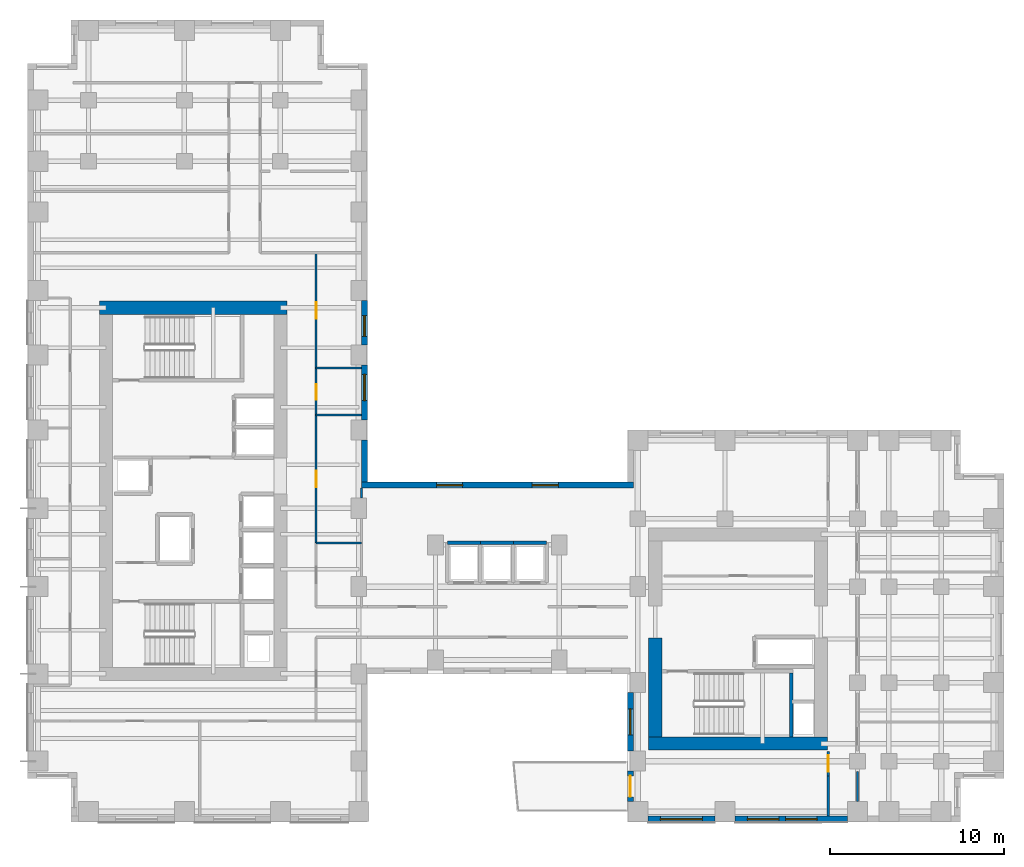
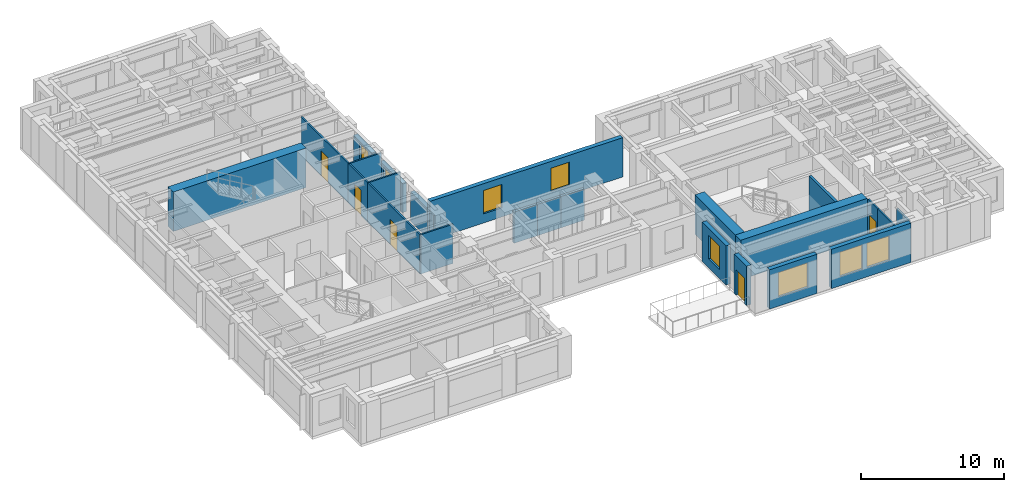
# One storey, part 6 of 12: 25 walls, 8 windows, 5 doors, 13 openings.
"""IFC4 building model written with IfcOpenShell, lengths in metres."""

from ifc_helpers import new_model, si_unit, direction, frame, frame_2d, origin, place, context, subcontext, project, spatial, rectangle, extrude, source, transform, mapped, material, layer, layer_set, type_object, element, fill, save


model = new_model("IFC4")

# Units and contexts
model_context = context("Model", 3, precision=1e-05, world=origin(), true_north=direction((0.0, 1.0)))
body_context = subcontext(model_context, "Body", "Model", "MODEL_VIEW")
ifc_project = project(units=[si_unit("LENGTHUNIT", "METRE"), si_unit("AREAUNIT", "SQUARE_METRE"), si_unit("VOLUMEUNIT", "CUBIC_METRE"), si_unit("PLANEANGLEUNIT", "RADIAN"), si_unit("MASSUNIT", "GRAM", prefix="KILO")], contexts=[model_context])

# Site, building, storey
site_placement = place(None, origin())
site = spatial("IfcSite", under=ifc_project, at=site_placement, CompositionType="ELEMENT")
building_placement = place(site_placement, origin())
building = spatial("IfcBuilding", under=site, at=building_placement, Name="Kharzan Plaza Tower", CompositionType="ELEMENT")
storey_placement = place(building_placement, frame((0.0, 0.0, 91.800048828125)))
storey = spatial("IfcBuildingStorey", under=building, at=storey_placement, Name="L24", CompositionType="ELEMENT", Elevation=91.800048828125)

# Wall, opening, window
ifc_material_1 = material(Name="Concrete C40/50", Category="concrete")
ifc_layer_1 = layer(ifc_material_1, 0.35009765625)
ifc_layer_set_1 = layer_set([ifc_layer_1], Name="Concrete C40/50")
wall_type_1 = type_object("IfcWallType", Name="WL-EXT-MAS-Z2", PredefinedType="SOLIDWALL", material=ifc_layer_set_1)
wall_1_placement = place(storey_placement, frame((19.324951171875, 23.072998046875, 0.0), z_axis=(0.0, 0.0, 1.0), x_axis=(0.0, 1.0, 0.0)))
wall_1 = element("IfcWall", 1, at=wall_1_placement, inside=storey, type_object=wall_type_1, Name="L24 Masonry-Frame Exterior Wall 02", PredefinedType="SOLIDWALL", context=body_context, shape_type="SweptSolid", body=[
    extrude(rectangle(XDim=3.154052734375, YDim=0.35009765625, at=frame_2d((1.5771484375, 0.0))), origin(), (0.0, 0.0, 1.0), 2.51904296875),
])
opening_1_placement = place(wall_1_placement, frame((1.10546875, 0.0, 0.780029296875)))
opening_1 = element("IfcOpeningElement", 2, at=opening_1_placement, cuts=wall_1, Name="Opening W5", PredefinedType="OPENING", context=body_context, shape_type="SweptSolid", body=[
    extrude(rectangle(XDim=1.5, YDim=1.55908203125, at=frame_2d((0.75, 0.779541015625))), frame((0.0, 0.18505859375, 0.0), z_axis=(0.0, -1.0, 0.0), x_axis=(1.0, 0.0, 0.0)), (0.0, 0.0, 1.0), 0.3701171875),
])
ifc_material_2 = material(Name="Low-E Double Glazing", Category="glass")
window_type_1 = type_object("IfcWindowType", Name="WN-SLT-1500x2000", PartitioningType="SINGLE_PANEL", PredefinedType="WINDOW", material=ifc_material_2)
shared_shape_1 = source(origin(), body_context, "Body", "SweptSolid", [
    extrude(rectangle(XDim=1.5, YDim=1.55908203125, at=frame_2d((0.75, 0.779541015625))), frame((0.0, 0.030029296875, 0.0), z_axis=(0.0, -1.0, 0.0), x_axis=(1.0, 0.0, 0.0)), (0.0, 0.0, 1.0), 0.06005859375),
])
window_1_placement = place(opening_1_placement, origin())
window_1 = element("IfcWindow", 3, at=window_1_placement, inside=storey, type_object=window_type_1, Name="L24 Recessed Solar-Control Window 02-1", OverallHeight=1.55908203125, OverallWidth=1.5, PartitioningType="SINGLE_PANEL", PredefinedType="WINDOW", context=body_context, shape_type="MappedRepresentation", body=[
    mapped(shared_shape_1, transform((0.0, 0.0, 0.0), x_axis=(1.0, 0.0, 0.0), y_axis=(0.0, 1.0, 0.0), z_axis=(0.0, 0.0, 1.0))),
])
fill(opening_1, window_1)

wall_2_placement = place(storey_placement, frame((19.324951171875, 27.373046875, 0.0), z_axis=(0.0, 0.0, 1.0), x_axis=(0.0, 1.0, 0.0)))
wall_2 = element("IfcWall", 4, at=wall_2_placement, inside=storey, type_object=wall_type_1, Name="L24 Masonry-Frame Exterior Wall 03", PredefinedType="SOLIDWALL", context=body_context, shape_type="SweptSolid", body=[
    extrude(rectangle(XDim=2.553955078125, YDim=0.35009765625, at=frame_2d((1.27685546875, 0.0))), origin(), (0.0, 0.0, 1.0), 2.51904296875),
])
opening_2_placement = place(wall_2_placement, frame((0.47998046875, 0.0, 0.780029296875)))
opening_2 = element("IfcOpeningElement", 5, at=opening_2_placement, cuts=wall_2, Name="Opening W3", PredefinedType="OPENING", context=body_context, shape_type="SweptSolid", body=[
    extrude(rectangle(XDim=1.199951171875, YDim=1.55908203125, at=frame_2d((0.60009765625, 0.779541015625))), frame((0.0, 0.18505859375, 0.0), z_axis=(0.0, -1.0, 0.0), x_axis=(1.0, 0.0, 0.0)), (0.0, 0.0, 1.0), 0.3701171875),
])
window_type_2 = type_object("IfcWindowType", Name="WN-REC-1200x2100", PartitioningType="SINGLE_PANEL", PredefinedType="WINDOW", material=ifc_material_2)
shared_shape_2 = source(origin(), body_context, "Body", "SweptSolid", [
    extrude(rectangle(XDim=1.199951171875, YDim=1.55908203125, at=frame_2d((0.60009765625, 0.779541015625))), frame((0.0, 0.030029296875, 0.0), z_axis=(0.0, -1.0, 0.0), x_axis=(1.0, 0.0, 0.0)), (0.0, 0.0, 1.0), 0.06005859375),
])
window_2_placement = place(opening_2_placement, origin())
window_2 = element("IfcWindow", 6, at=window_2_placement, inside=storey, type_object=window_type_2, Name="L24 Recessed Solar-Control Window 03-1", OverallHeight=1.55908203125, OverallWidth=1.199951171875, PartitioningType="SINGLE_PANEL", PredefinedType="WINDOW", context=body_context, shape_type="MappedRepresentation", body=[
    mapped(shared_shape_2, transform((0.0, 0.0, 0.0), x_axis=(1.0, 0.0, 0.0), y_axis=(0.0, 1.0, 0.0), z_axis=(0.0, 0.0, 1.0))),
])
fill(opening_2, window_2)

wall_3_placement = place(storey_placement, frame((34.574951171875, 7.427001953125, 0.0), z_axis=(0.0, 0.0, 1.0), x_axis=(0.0, -1.0, 0.0)))
wall_3 = element("IfcWall", 7, at=wall_3_placement, inside=storey, type_object=wall_type_1, Name="L24 Masonry-Frame Exterior Wall 37", PredefinedType="SOLIDWALL", context=body_context, shape_type="SweptSolid", body=[
    extrude(rectangle(XDim=3.35400390625, YDim=0.35009765625, at=frame_2d((1.677001953125, 0.0))), origin(), (0.0, 0.0, 1.0), 3.364990234375),
])
opening_3_placement = place(wall_3_placement, frame((0.927001953125, 0.0, 0.780029296875)))
opening_3 = element("IfcOpeningElement", 8, at=opening_3_placement, cuts=wall_3, Name="Opening W5", PredefinedType="OPENING", context=body_context, shape_type="SweptSolid", body=[
    extrude(rectangle(XDim=1.5, YDim=2.0, at=frame_2d((0.75, 1.0))), frame((0.0, 0.18505859375, 0.0), z_axis=(0.0, -1.0, 0.0), x_axis=(1.0, 0.0, 0.0)), (0.0, 0.0, 1.0), 0.3701171875),
])
shared_shape_3 = source(origin(), body_context, "Body", "SweptSolid", [
    extrude(rectangle(XDim=1.5, YDim=2.0, at=frame_2d((0.75, 1.0))), frame((0.0, 0.030029296875, 0.0), z_axis=(0.0, -1.0, 0.0), x_axis=(1.0, 0.0, 0.0)), (0.0, 0.0, 1.0), 0.06005859375),
])
window_3_placement = place(opening_3_placement, origin())
window_3 = element("IfcWindow", 9, at=window_3_placement, inside=storey, type_object=window_type_1, Name="L24 Recessed Solar-Control Window 37-1", OverallHeight=2.0, OverallWidth=1.5, PartitioningType="SINGLE_PANEL", PredefinedType="WINDOW", context=body_context, shape_type="MappedRepresentation", body=[
    mapped(shared_shape_3, transform((0.0, 0.0, 0.0), x_axis=(1.0, 0.0, 0.0), y_axis=(0.0, 1.0, 0.0), z_axis=(0.0, 0.0, 1.0))),
])
fill(opening_3, window_3)

# Wall, opening, door
wall_4_placement = place(storey_placement, frame((34.574951171875, 2.927001953125, 0.0), z_axis=(0.0, 0.0, 1.0), x_axis=(0.0, -1.0, 0.0)))
wall_4 = element("IfcWall", 10, at=wall_4_placement, inside=storey, type_object=wall_type_1, Name="L24 Masonry-Frame Exterior Wall 38", PredefinedType="SOLIDWALL", context=body_context, shape_type="SweptSolid", body=[
    extrude(rectangle(XDim=1.75390625, YDim=0.35009765625, at=frame_2d((0.876953125, 0.0))), origin(), (0.0, 0.0, 1.0), 3.364990234375),
])
opening_4_placement = place(wall_4_placement, frame((0.277099609375, 0.0, 0.0)))
opening_4 = element("IfcOpeningElement", 11, at=opening_4_placement, cuts=wall_4, Name="Opening ED3", PredefinedType="OPENING", context=body_context, shape_type="SweptSolid", body=[
    extrude(rectangle(XDim=1.199951171875, YDim=2.14990234375, at=frame_2d((0.60009765625, 1.074951171875))), frame((0.0, 0.18505859375, 0.0), z_axis=(0.0, -1.0, 0.0), x_axis=(1.0, 0.0, 0.0)), (0.0, 0.0, 1.0), 0.3701171875),
])
ifc_material_3 = material(Name="Thermally Broken Anodized Bronze Aluminium", Category="aluminium")
door_type_1 = type_object("IfcDoorType", Name="DR-EXT-TRAY-1200", OperationType="SINGLE_SWING_LEFT", PredefinedType="DOOR", material=ifc_material_3)
shared_shape_4 = source(origin(), body_context, "Body", "SweptSolid", [
    extrude(rectangle(XDim=1.199951171875, YDim=2.14990234375, at=frame_2d((0.60009765625, 1.074951171875))), frame((0.0, 0.02490234375, 0.0), z_axis=(0.0, -1.0, 0.0), x_axis=(1.0, 0.0, 0.0)), (0.0, 0.0, 1.0), 0.050048828125),
])
door_1_placement = place(opening_4_placement, frame((1.199951171875, 0.0, 0.0), z_axis=(0.0, 0.0, 1.0), x_axis=(-1.0, 0.0, 0.0)))
door_1 = element("IfcDoor", 12, at=door_1_placement, inside=storey, type_object=door_type_1, Name="L24 Cantilevered Sky-Terrace Tray Access Door", OperationType="SINGLE_SWING_LEFT", OverallHeight=2.14990234375, OverallWidth=1.199951171875, PredefinedType="DOOR", context=body_context, shape_type="MappedRepresentation", body=[
    mapped(shared_shape_4, transform((0.0, 0.0, 0.0), x_axis=(1.0, 0.0, 0.0), y_axis=(0.0, 1.0, 0.0), z_axis=(0.0, 0.0, 1.0))),
])
fill(opening_4, door_1)

# Wall, opening, window
wall_5_placement = place(storey_placement, frame((35.572998046875, 0.175048828125, 0.0), z_axis=(0.0, 0.0, 1.0), x_axis=(1.0, 0.0, 0.0)))
wall_5 = element("IfcWall", 13, at=wall_5_placement, inside=storey, type_object=wall_type_1, Name="L24 Masonry-Frame Exterior Wall 39", PredefinedType="SOLIDWALL", context=body_context, shape_type="SweptSolid", body=[
    extrude(rectangle(XDim=3.85400390625, YDim=0.35009765625, at=frame_2d((1.927001953125, 0.0))), origin(), (0.0, 0.0, 1.0), 3.364990234375),
])
opening_5_placement = place(wall_5_placement, frame((0.72705078125, 0.0, 0.780029296875)))
opening_5 = element("IfcOpeningElement", 14, at=opening_5_placement, cuts=wall_5, Name="Opening W2", PredefinedType="OPENING", context=body_context, shape_type="SweptSolid", body=[
    extrude(rectangle(XDim=2.39990234375, YDim=2.10009765625, at=frame_2d((1.199951171875, 1.050048828125))), frame((0.0, 0.18505859375, 0.0), z_axis=(0.0, -1.0, 0.0), x_axis=(1.0, 0.0, 0.0)), (0.0, 0.0, 1.0), 0.3701171875),
])
window_type_3 = type_object("IfcWindowType", Name="WN-REC-2400x2100", PartitioningType="SINGLE_PANEL", PredefinedType="WINDOW", material=ifc_material_2)
shared_shape_5 = source(origin(), body_context, "Body", "SweptSolid", [
    extrude(rectangle(XDim=2.39990234375, YDim=2.10009765625, at=frame_2d((1.199951171875, 1.050048828125))), frame((0.0, 0.030029296875, 0.0), z_axis=(0.0, -1.0, 0.0), x_axis=(1.0, 0.0, 0.0)), (0.0, 0.0, 1.0), 0.06005859375),
])
window_4_placement = place(opening_5_placement, origin())
window_4 = element("IfcWindow", 15, at=window_4_placement, inside=storey, type_object=window_type_3, Name="L24 Wide Recessed Solar-Control Window 39-1", OverallHeight=2.10009765625, OverallWidth=2.39990234375, PartitioningType="SINGLE_PANEL", PredefinedType="WINDOW", context=body_context, shape_type="MappedRepresentation", body=[
    mapped(shared_shape_5, transform((0.0, 0.0, 0.0), x_axis=(1.0, 0.0, 0.0), y_axis=(0.0, 1.0, 0.0), z_axis=(0.0, 0.0, 1.0))),
])
fill(opening_5, window_4)

# Wall, openings, windows
wall_6_placement = place(storey_placement, frame((40.572998046875, 0.175048828125, 0.0), z_axis=(0.0, 0.0, 1.0), x_axis=(1.0, 0.0, 0.0)))
wall_6 = element("IfcWall", 16, at=wall_6_placement, inside=storey, type_object=wall_type_1, Name="L24 Masonry-Frame Exterior Wall 40", PredefinedType="SOLIDWALL", context=body_context, shape_type="SweptSolid", body=[
    extrude(rectangle(XDim=6.4541015625, YDim=0.35009765625, at=frame_2d((3.22705078125, 0.0))), origin(), (0.0, 0.0, 1.0), 3.364990234375),
])
opening_6_placement = place(wall_6_placement, frame((0.71240234375, 0.0, 0.780029296875)))
opening_6 = element("IfcOpeningElement", 17, at=opening_6_placement, cuts=wall_6, Name="Opening W1", PredefinedType="OPENING", context=body_context, shape_type="SweptSolid", body=[
    extrude(rectangle(XDim=1.800048828125, YDim=2.10009765625, at=frame_2d((0.89990234375, 1.050048828125))), frame((0.0, 0.18505859375, 0.0), z_axis=(0.0, -1.0, 0.0), x_axis=(1.0, 0.0, 0.0)), (0.0, 0.0, 1.0), 0.3701171875),
])
opening_7_placement = place(wall_6_placement, frame((2.90478515625, 0.0, 0.780029296875)))
opening_7 = element("IfcOpeningElement", 18, at=opening_7_placement, cuts=wall_6, Name="Opening W1", PredefinedType="OPENING", context=body_context, shape_type="SweptSolid", body=[
    extrude(rectangle(XDim=1.800048828125, YDim=2.10009765625, at=frame_2d((0.89990234375, 1.050048828125))), frame((0.0, 0.18505859375, 0.0), z_axis=(0.0, -1.0, 0.0), x_axis=(1.0, 0.0, 0.0)), (0.0, 0.0, 1.0), 0.3701171875),
])
window_type_4 = type_object("IfcWindowType", Name="WN-REC-1800x2100", PartitioningType="SINGLE_PANEL", PredefinedType="WINDOW", material=ifc_material_2)
shared_shape_6 = source(origin(), body_context, "Body", "SweptSolid", [
    extrude(rectangle(XDim=1.800048828125, YDim=2.10009765625, at=frame_2d((0.89990234375, 1.050048828125))), frame((0.0, 0.030029296875, 0.0), z_axis=(0.0, -1.0, 0.0), x_axis=(1.0, 0.0, 0.0)), (0.0, 0.0, 1.0), 0.06005859375),
])
window_5_placement = place(opening_6_placement, origin())
window_5 = element("IfcWindow", 19, at=window_5_placement, inside=storey, type_object=window_type_4, Name="L24 Recessed Solar-Control Window 40-1", OverallHeight=2.10009765625, OverallWidth=1.800048828125, PartitioningType="SINGLE_PANEL", PredefinedType="WINDOW", context=body_context, shape_type="MappedRepresentation", body=[
    mapped(shared_shape_6, transform((0.0, 0.0, 0.0), x_axis=(1.0, 0.0, 0.0), y_axis=(0.0, 1.0, 0.0), z_axis=(0.0, 0.0, 1.0))),
])
fill(opening_6, window_5)
window_6_placement = place(opening_7_placement, origin())
window_6 = element("IfcWindow", 20, at=window_6_placement, inside=storey, type_object=window_type_4, Name="L24 Recessed Solar-Control Window 40-2", OverallHeight=2.10009765625, OverallWidth=1.800048828125, PartitioningType="SINGLE_PANEL", PredefinedType="WINDOW", context=body_context, shape_type="MappedRepresentation", body=[
    mapped(shared_shape_6, transform((0.0, 0.0, 0.0), x_axis=(1.0, 0.0, 0.0), y_axis=(0.0, 1.0, 0.0), z_axis=(0.0, 0.0, 1.0))),
])
fill(opening_7, window_6)

wall_7_placement = place(storey_placement, frame((34.75, 19.324951171875, 0.0), z_axis=(0.0, 0.0, 1.0), x_axis=(-1.0, 0.0, 0.0)))
wall_7 = element("IfcWall", 21, at=wall_7_placement, inside=storey, type_object=wall_type_1, Name="L24 Masonry-Frame Exterior Wall 58", PredefinedType="SOLIDWALL", context=body_context, shape_type="SweptSolid", body=[
    extrude(rectangle(XDim=15.60009765625, YDim=0.35009765625, at=frame_2d((7.800048828125, 0.0))), origin(), (0.0, 0.0, 1.0), 3.364990234375),
])
opening_8_placement = place(wall_7_placement, frame((4.306640625, 0.0, 0.780029296875)))
opening_8 = element("IfcOpeningElement", 22, at=opening_8_placement, cuts=wall_7, Name="Opening W5", PredefinedType="OPENING", context=body_context, shape_type="SweptSolid", body=[
    extrude(rectangle(XDim=1.5, YDim=2.0, at=frame_2d((0.75, 1.0))), frame((0.0, 0.18505859375, 0.0), z_axis=(0.0, -1.0, 0.0), x_axis=(1.0, 0.0, 0.0)), (0.0, 0.0, 1.0), 0.3701171875),
])
opening_9_placement = place(wall_7_placement, frame((9.793212890625, 0.0, 0.780029296875)))
opening_9 = element("IfcOpeningElement", 23, at=opening_9_placement, cuts=wall_7, Name="Opening W5", PredefinedType="OPENING", context=body_context, shape_type="SweptSolid", body=[
    extrude(rectangle(XDim=1.5, YDim=2.0, at=frame_2d((0.75, 1.0))), frame((0.0, 0.18505859375, 0.0), z_axis=(0.0, -1.0, 0.0), x_axis=(1.0, 0.0, 0.0)), (0.0, 0.0, 1.0), 0.3701171875),
])
window_7_placement = place(opening_8_placement, origin())
window_7 = element("IfcWindow", 24, at=window_7_placement, inside=storey, type_object=window_type_1, Name="L24 Recessed Solar-Control Window 58-1", OverallHeight=2.0, OverallWidth=1.5, PartitioningType="SINGLE_PANEL", PredefinedType="WINDOW", context=body_context, shape_type="MappedRepresentation", body=[
    mapped(shared_shape_3, transform((0.0, 0.0, 0.0), x_axis=(1.0, 0.0, 0.0), y_axis=(0.0, 1.0, 0.0), z_axis=(0.0, 0.0, 1.0))),
])
fill(opening_8, window_7)
window_8_placement = place(opening_9_placement, origin())
window_8 = element("IfcWindow", 25, at=window_8_placement, inside=storey, type_object=window_type_1, Name="L24 Recessed Solar-Control Window 58-2", OverallHeight=2.0, OverallWidth=1.5, PartitioningType="SINGLE_PANEL", PredefinedType="WINDOW", context=body_context, shape_type="MappedRepresentation", body=[
    mapped(shared_shape_3, transform((0.0, 0.0, 0.0), x_axis=(1.0, 0.0, 0.0), y_axis=(0.0, 1.0, 0.0), z_axis=(0.0, 0.0, 1.0))),
])
fill(opening_9, window_8)

# Wall, opening, door
ifc_material_4 = material(Name="Fire-Rated Gypsum Board Partition", Category="gypsum")
ifc_layer_2 = layer(ifc_material_4, 0.125)
ifc_layer_set_2 = layer_set([ifc_layer_2], Name="Fire-Rated Gypsum Board Partition")
wall_type_2 = type_object("IfcWallType", Name="WL-INT-PART-125", PredefinedType="PARTITIONING", material=ifc_layer_set_2)
wall_8_placement = place(storey_placement, frame((16.550048828125, 16.0, 0.0), z_axis=(0.0, 0.0, 1.0), x_axis=(0.0, 1.0, 0.0)))
wall_8 = element("IfcWall", 26, at=wall_8_placement, inside=storey, type_object=wall_type_2, Name="L24 Interior Partition SH-AEWN2", PredefinedType="PARTITIONING", context=body_context, shape_type="SweptSolid", body=[
    extrude(rectangle(XDim=7.35009765625, YDim=0.125, at=frame_2d((3.675048828125, 0.0))), origin(), (0.0, 0.0, 1.0), 3.364990234375),
])
opening_10_placement = place(wall_8_placement, frame((3.199951171875, 0.0, 0.0)))
opening_10 = element("IfcOpeningElement", 27, at=opening_10_placement, cuts=wall_8, Name="Opening OD1", PredefinedType="OPENING", context=body_context, shape_type="SweptSolid", body=[
    extrude(rectangle(XDim=0.949951171875, YDim=2.14990234375, at=frame_2d((0.47509765625, 1.074951171875))), frame((0.0, 0.072509765625, 0.0), z_axis=(0.0, -1.0, 0.0), x_axis=(1.0, 0.0, 0.0)), (0.0, 0.0, 1.0), 0.14501953125),
])
ifc_material_5 = material(Name="Acoustic Solid-Core Stained Oak", Category="timber")
door_type_2 = type_object("IfcDoorType", Name="DR-OFF-SINGLE", OperationType="NOTDEFINED", PredefinedType="DOOR", material=ifc_material_5)
shared_shape_7 = source(origin(), body_context, "Body", "SweptSolid", [
    extrude(rectangle(XDim=0.949951171875, YDim=2.14990234375, at=frame_2d((0.47509765625, 1.074951171875))), frame((0.0, 0.02490234375, 0.0), z_axis=(0.0, -1.0, 0.0), x_axis=(1.0, 0.0, 0.0)), (0.0, 0.0, 1.0), 0.050048828125),
])
door_2_placement = place(opening_10_placement, origin())
door_2 = element("IfcDoor", 28, at=door_2_placement, inside=storey, type_object=door_type_2, Name="L24 Slot Studio Door", OperationType="SINGLE_SWING_RIGHT", OverallHeight=2.14990234375, OverallWidth=0.949951171875, PredefinedType="DOOR", context=body_context, shape_type="MappedRepresentation", body=[
    mapped(shared_shape_7, transform((0.0, 0.0, 0.0), x_axis=(1.0, 0.0, 0.0), y_axis=(0.0, 1.0, 0.0), z_axis=(0.0, 0.0, 1.0))),
])
fill(opening_10, door_2)

wall_9_placement = place(storey_placement, frame((16.550048828125, 26.050048828125, 0.0), z_axis=(0.0, 0.0, 1.0), x_axis=(0.0, 1.0, 0.0)))
wall_9 = element("IfcWall", 29, at=wall_9_placement, inside=storey, type_object=wall_type_2, Name="L24 Interior Partition SH-AEWN3", PredefinedType="PARTITIONING", context=body_context, shape_type="SweptSolid", body=[
    extrude(rectangle(XDim=6.599853515625, YDim=0.125, at=frame_2d((3.2998046875, 0.0))), origin(), (0.0, 0.0, 1.0), 3.364990234375),
])
opening_11_placement = place(wall_9_placement, frame((2.824951171875, 0.0, 0.0)))
opening_11 = element("IfcOpeningElement", 30, at=opening_11_placement, cuts=wall_9, Name="Opening OD1", PredefinedType="OPENING", context=body_context, shape_type="SweptSolid", body=[
    extrude(rectangle(XDim=0.949951171875, YDim=2.14990234375, at=frame_2d((0.47509765625, 1.074951171875))), frame((0.0, 0.072509765625, 0.0), z_axis=(0.0, -1.0, 0.0), x_axis=(1.0, 0.0, 0.0)), (0.0, 0.0, 1.0), 0.14501953125),
])
door_3_placement = place(opening_11_placement, origin())
door_3 = element("IfcDoor", 31, at=door_3_placement, inside=storey, type_object=door_type_2, Name="L24 Staff Tea Point Door", OperationType="SINGLE_SWING_RIGHT", OverallHeight=2.14990234375, OverallWidth=0.949951171875, PredefinedType="DOOR", context=body_context, shape_type="MappedRepresentation", body=[
    mapped(shared_shape_7, transform((0.0, 0.0, 0.0), x_axis=(1.0, 0.0, 0.0), y_axis=(0.0, 1.0, 0.0), z_axis=(0.0, 0.0, 1.0))),
])
fill(opening_11, door_3)

wall_10_placement = place(storey_placement, frame((16.550048828125, 23.35009765625, 0.0), z_axis=(0.0, 0.0, 1.0), x_axis=(0.0, 1.0, 0.0)))
wall_10 = element("IfcWall", 32, at=wall_10_placement, inside=storey, type_object=wall_type_2, Name="L24 Interior Partition SH-AEWW", PredefinedType="PARTITIONING", context=body_context, shape_type="SweptSolid", body=[
    extrude(rectangle(XDim=2.699951171875, YDim=0.125, at=frame_2d((1.35009765625, 0.0))), origin(), (0.0, 0.0, 1.0), 3.364990234375),
])
opening_12_placement = place(wall_10_placement, frame((0.875, 0.0, 0.0)))
opening_12 = element("IfcOpeningElement", 33, at=opening_12_placement, cuts=wall_10, Name="Opening WD1", PredefinedType="OPENING", context=body_context, shape_type="SweptSolid", body=[
    extrude(rectangle(XDim=0.89990234375, YDim=2.14990234375, at=frame_2d((0.449951171875, 1.074951171875))), frame((0.0, 0.072509765625, 0.0), z_axis=(0.0, -1.0, 0.0), x_axis=(1.0, 0.0, 0.0)), (0.0, 0.0, 1.0), 0.14501953125),
])
ifc_material_6 = material(Name="Moisture-Resistant Fire-Rated Laminate", Category="timber")
door_type_3 = type_object("IfcDoorType", Name="DR-WC-900", OperationType="NOTDEFINED", PredefinedType="DOOR", material=ifc_material_6)
shared_shape_8 = source(origin(), body_context, "Body", "SweptSolid", [
    extrude(rectangle(XDim=0.89990234375, YDim=2.14990234375, at=frame_2d((0.449951171875, 1.074951171875))), frame((0.0, 0.02490234375, 0.0), z_axis=(0.0, -1.0, 0.0), x_axis=(1.0, 0.0, 0.0)), (0.0, 0.0, 1.0), 0.050048828125),
])
door_4_placement = place(opening_12_placement, origin())
door_4 = element("IfcDoor", 34, at=door_4_placement, inside=storey, type_object=door_type_3, Name="L24 Wing A Washroom Door", OperationType="SINGLE_SWING_LEFT", OverallHeight=2.14990234375, OverallWidth=0.89990234375, PredefinedType="DOOR", context=body_context, shape_type="MappedRepresentation", body=[
    mapped(shared_shape_8, transform((0.0, 0.0, 0.0), x_axis=(1.0, 0.0, 0.0), y_axis=(0.0, 1.0, 0.0), z_axis=(0.0, 0.0, 1.0))),
])
fill(opening_12, door_4)

wall_11_placement = place(storey_placement, frame((45.919921875, 2.64990234375, 0.0), z_axis=(0.0, 0.0, 1.0), x_axis=(0.0, 1.0, 0.0)))
wall_11 = element("IfcWall", 35, at=wall_11_placement, inside=storey, type_object=wall_type_2, Name="L24 Interior Partition SH-RBSE", PredefinedType="PARTITIONING", context=body_context, shape_type="SweptSolid", body=[
    extrude(rectangle(XDim=1.400146484375, YDim=0.125, at=frame_2d((0.7001953125, 0.0))), origin(), (0.0, 0.0, 1.0), 3.364990234375),
])
opening_13_placement = place(wall_11_placement, frame((0.22509765625, 0.0, 0.0)))
opening_13 = element("IfcOpeningElement", 36, at=opening_13_placement, cuts=wall_11, Name="Opening OD1", PredefinedType="OPENING", context=body_context, shape_type="SweptSolid", body=[
    extrude(rectangle(XDim=0.949951171875, YDim=2.14990234375, at=frame_2d((0.47509765625, 1.074951171875))), frame((0.0, 0.072509765625, 0.0), z_axis=(0.0, -1.0, 0.0), x_axis=(1.0, 0.0, 0.0)), (0.0, 0.0, 1.0), 0.14501953125),
])
door_5_placement = place(opening_13_placement, origin())
door_5 = element("IfcDoor", 37, at=door_5_placement, inside=storey, type_object=door_type_2, Name="L24 South-East Corner Office Door", OperationType="SINGLE_SWING_RIGHT", OverallHeight=2.14990234375, OverallWidth=0.949951171875, PredefinedType="DOOR", context=body_context, shape_type="MappedRepresentation", body=[
    mapped(shared_shape_7, transform((0.0, 0.0, 0.0), x_axis=(1.0, 0.0, 0.0), y_axis=(0.0, 1.0, 0.0), z_axis=(0.0, 0.0, 1.0))),
])
fill(opening_13, door_5)

# Walls
shared_shape_9 = source(origin(), body_context, "Body", "SweptSolid", [
    extrude(rectangle(XDim=2.597900390625, YDim=0.125, at=frame_2d((1.298828125, 0.0))), origin(), (0.0, 0.0, 1.0), 3.364990234375),
])
for number, where, z_axis, x_axis, name in (
    (38, (16.550048828125, 23.35009765625, 0.0), (0.0, 0.0, 1.0), (1.0, 0.0, 0.0), "L24 Interior Partition SH-AEH-233"),
    (39, (16.550048828125, 26.050048828125, 0.0), (0.0, 0.0, 1.0), (1.0, 0.0, 0.0), "L24 Interior Partition SH-AEH-260"),
):
    element("IfcWall", number, at=place(storey_placement, frame(where, z_axis=z_axis, x_axis=x_axis)), inside=storey, type_object=wall_type_2, Name=name, PredefinedType="PARTITIONING", context=body_context, shape_type="MappedRepresentation", body=[
        mapped(shared_shape_9, transform((0.0, 0.0, 0.0), x_axis=(1.0, 0.0, 0.0), y_axis=(0.0, 1.0, 0.0), z_axis=(0.0, 0.0, 1.0))),
    ])
shared_shape_10 = source(origin(), body_context, "Body", "SweptSolid", [
    extrude(rectangle(XDim=2.2978515625, YDim=0.125, at=frame_2d((1.14892578125, 0.0))), origin(), (0.0, 0.0, 1.0), 3.364990234375),
])
wall_12_placement = place(storey_placement, frame((45.919921875, 0.35205078125, 0.0), z_axis=(0.0, 0.0, 1.0), x_axis=(0.0, 1.0, 0.0)))
element("IfcWall", 40, at=wall_12_placement, inside=storey, type_object=wall_type_2, Name="L24 Interior Partition SH-RBSE0", PredefinedType="PARTITIONING", context=body_context, shape_type="MappedRepresentation", body=[
    mapped(shared_shape_10, transform((0.0, 0.0, 0.0), x_axis=(1.0, 0.0, 0.0), y_axis=(0.0, 1.0, 0.0), z_axis=(0.0, 0.0, 1.0))),
])
shared_shape_11 = source(origin(), body_context, "Body", "SweptSolid", [
    extrude(rectangle(XDim=2.599853515625, YDim=0.125, at=frame_2d((1.2998046875, 0.0))), origin(), (0.0, 0.0, 1.0), 3.364990234375),
])
wall_13_placement = place(storey_placement, frame((16.550048828125, 16.0, 0.0), z_axis=(0.0, 0.0, 1.0), x_axis=(1.0, 0.0, 0.0)))
element("IfcWall", 41, at=wall_13_placement, inside=storey, type_object=wall_type_2, Name="L24 Interior Partition SH-AEH-160", PredefinedType="PARTITIONING", context=body_context, shape_type="MappedRepresentation", body=[
    mapped(shared_shape_11, transform((0.0, 0.0, 0.0), x_axis=(1.0, 0.0, 0.0), y_axis=(0.0, 1.0, 0.0), z_axis=(0.0, 0.0, 1.0))),
])
shared_shape_12 = source(origin(), body_context, "Body", "SweptSolid", [
    extrude(rectangle(XDim=1.719970703125, YDim=0.125, at=frame_2d((0.85986328125, 0.0))), origin(), (0.0, 0.0, 1.0), 2.677001953125),
])
wall_14_placement = place(storey_placement, frame((47.60009765625, 1.18994140625, 0.0), z_axis=(0.0, 0.0, 1.0), x_axis=(0.0, 1.0, 0.0)))
element("IfcWall", 42, at=wall_14_placement, inside=storey, type_object=wall_type_2, Name="L24 Interior Partition SH-B3W0S", PredefinedType="PARTITIONING", context=body_context, shape_type="MappedRepresentation", body=[
    mapped(shared_shape_12, transform((0.0, 0.0, 0.0), x_axis=(1.0, 0.0, 0.0), y_axis=(0.0, 1.0, 0.0), z_axis=(0.0, 0.0, 1.0))),
])
ifc_layer_3 = layer(ifc_material_1, 0.199951171875)
ifc_layer_set_3 = layer_set([ifc_layer_3], Name="Concrete C40/50")
wall_type_3 = type_object("IfcWallType", Name="WL-INT-SHAFT-200", PredefinedType="PARTITIONING", material=ifc_layer_set_3)
shared_shape_13 = source(origin(), body_context, "Body", "SweptSolid", [
    extrude(rectangle(XDim=1.889892578125, YDim=0.199951171875, at=frame_2d((0.94482421875, 0.0))), origin(), (0.0, 0.0, 1.0), 2.677001953125),
])
wall_15_placement = place(storey_placement, frame((24.080078125, 16.02001953125, 0.0), z_axis=(0.0, 0.0, 1.0), x_axis=(1.0, 0.0, 0.0)))
element("IfcWall", 43, at=wall_15_placement, inside=storey, type_object=wall_type_3, Name="L24 Interior Partition SHF-PL-M1-N", PredefinedType="PARTITIONING", context=body_context, shape_type="MappedRepresentation", body=[
    mapped(shared_shape_13, transform((0.0, 0.0, 0.0), x_axis=(1.0, 0.0, 0.0), y_axis=(0.0, 1.0, 0.0), z_axis=(0.0, 0.0, 1.0))),
])
shared_shape_14 = source(origin(), body_context, "Body", "SweptSolid", [
    extrude(rectangle(XDim=1.89013671875, YDim=0.199951171875, at=frame_2d((0.945068359375, 0.0))), origin(), (0.0, 0.0, 1.0), 2.677001953125),
])
for number, where, z_axis, x_axis, name in (
    (44, (25.97998046875, 16.02001953125, 0.0), (0.0, 0.0, 1.0), (1.0, 0.0, 0.0), "L24 Interior Partition SHF-PL-M2-N"),
    (45, (27.8798828125, 16.02001953125, 0.0), (0.0, 0.0, 1.0), (1.0, 0.0, 0.0), "L24 Interior Partition SHF-PL-M3-N"),
):
    element("IfcWall", number, at=place(storey_placement, frame(where, z_axis=z_axis, x_axis=x_axis)), inside=storey, type_object=wall_type_3, Name=name, PredefinedType="PARTITIONING", context=body_context, shape_type="MappedRepresentation", body=[
        mapped(shared_shape_14, transform((0.0, 0.0, 0.0), x_axis=(1.0, 0.0, 0.0), y_axis=(0.0, 1.0, 0.0), z_axis=(0.0, 0.0, 1.0))),
    ])
ifc_material_7 = material(Name="Concrete C60/75", Category="concrete")
ifc_layer_4 = layer(ifc_material_7, 0.75)
ifc_layer_set_4 = layer_set([ifc_layer_4], Name="Concrete C60/75")
wall_type_4 = type_object("IfcWallType", Name="WL-CORE-750", PredefinedType="SHEAR", material=ifc_layer_set_4)
shared_shape_15 = source(origin(), body_context, "Body", "SweptSolid", [
    extrude(rectangle(XDim=10.75, YDim=0.75, at=frame_2d((5.375, 0.0))), origin(), (0.0, 0.0, 1.0), 3.3798828125),
])
wall_16_placement = place(storey_placement, frame((4.125, 29.5, 0.0), z_axis=(0.0, 0.0, 1.0), x_axis=(1.0, 0.0, 0.0)))
element("IfcWall", 46, at=wall_16_placement, inside=storey, type_object=wall_type_4, Name="L24 CORE-A north RC shear wall", PredefinedType="SHEAR", context=body_context, shape_type="MappedRepresentation", body=[
    mapped(shared_shape_15, transform((0.0, 0.0, 0.0), x_axis=(1.0, 0.0, 0.0), y_axis=(0.0, 1.0, 0.0), z_axis=(0.0, 0.0, 1.0))),
])
shared_shape_16 = source(origin(), body_context, "Body", "SweptSolid", [
    extrude(rectangle(XDim=5.675048828125, YDim=0.75, at=frame_2d((2.83740234375, 0.0))), origin(), (0.0, 0.0, 1.0), 3.3798828125),
])
wall_17_placement = place(storey_placement, frame((36.0, 4.875, 0.0), z_axis=(0.0, 0.0, 1.0), x_axis=(0.0, 1.0, 0.0)))
element("IfcWall", 47, at=wall_17_placement, inside=storey, type_object=wall_type_4, Name="L24 CORE-B west shear pier 1", PredefinedType="SHEAR", context=body_context, shape_type="MappedRepresentation", body=[
    mapped(shared_shape_16, transform((0.0, 0.0, 0.0), x_axis=(1.0, 0.0, 0.0), y_axis=(0.0, 1.0, 0.0), z_axis=(0.0, 0.0, 1.0))),
])
shared_shape_17 = source(origin(), body_context, "Body", "SweptSolid", [
    extrude(rectangle(XDim=10.25, YDim=0.75, at=frame_2d((5.125, 0.0))), origin(), (0.0, 0.0, 1.0), 3.3798828125),
])
wall_18_placement = place(storey_placement, frame((35.625, 4.5, 0.0), z_axis=(0.0, 0.0, 1.0), x_axis=(1.0, 0.0, 0.0)))
element("IfcWall", 48, at=wall_18_placement, inside=storey, type_object=wall_type_4, Name="L24 CORE-B south RC shear wall", PredefinedType="SHEAR", context=body_context, shape_type="MappedRepresentation", body=[
    mapped(shared_shape_17, transform((0.0, 0.0, 0.0), x_axis=(1.0, 0.0, 0.0), y_axis=(0.0, 1.0, 0.0), z_axis=(0.0, 0.0, 1.0))),
])
ifc_material_8 = material(Name="Concrete C50/60", Category="concrete")
ifc_layer_5 = layer(ifc_material_8, 0.199951171875)
ifc_layer_set_5 = layer_set([ifc_layer_5], Name="Concrete C50/60")
wall_type_5 = type_object("IfcWallType", Name="WL-SHAFT-RC200", PredefinedType="SHEAR", material=ifc_layer_set_5)
shared_shape_18 = source(origin(), body_context, "Body", "SweptSolid", [
    extrude(rectangle(XDim=3.677978515625, YDim=0.199951171875, at=frame_2d((1.8388671875, 0.0))), origin(), (0.0, 0.0, 1.0), 3.3798828125),
])
wall_19_placement = place(storey_placement, frame((43.804931640625, 4.876953125, 0.0), z_axis=(0.0, 0.0, 1.0), x_axis=(0.0, 1.0, 0.0)))
element("IfcWall", 49, at=wall_19_placement, inside=storey, type_object=wall_type_5, Name="L24 Stair ST-3 East RC Shaft Wall", PredefinedType="SHEAR", context=body_context, shape_type="MappedRepresentation", body=[
    mapped(shared_shape_18, transform((0.0, 0.0, 0.0), x_axis=(1.0, 0.0, 0.0), y_axis=(0.0, 1.0, 0.0), z_axis=(0.0, 0.0, 1.0))),
])
shared_shape_19 = source(origin(), body_context, "Body", "SweptSolid", [
    extrude(rectangle(XDim=2.428955078125, YDim=0.35009765625, at=frame_2d((1.21435546875, 0.0))), origin(), (0.0, 0.0, 1.0), 2.51904296875),
])
wall_20_placement = place(storey_placement, frame((19.324951171875, 19.498046875, 0.0), z_axis=(0.0, 0.0, 1.0), x_axis=(0.0, 1.0, 0.0)))
element("IfcWall", 50, at=wall_20_placement, inside=storey, type_object=wall_type_1, Name="L24 Masonry-Frame Exterior Wall 01", PredefinedType="SOLIDWALL", context=body_context, shape_type="MappedRepresentation", body=[
    mapped(shared_shape_19, transform((0.0, 0.0, 0.0), x_axis=(1.0, 0.0, 0.0), y_axis=(0.0, 1.0, 0.0), z_axis=(0.0, 0.0, 1.0))),
])
shared_shape_20 = source(origin(), body_context, "Body", "SweptSolid", [
    extrude(rectangle(XDim=0.557861328125, YDim=0.125, at=frame_2d((0.27880859375, 0.0))), origin(), (0.0, 0.0, 1.0), 2.51904296875),
])
wall_21_placement = place(storey_placement, frame((19.14990234375, 18.590087890625, 0.0), z_axis=(0.0, 0.0, 1.0), x_axis=(0.0, 1.0, 0.0)))
element("IfcWall", 51, at=wall_21_placement, inside=storey, type_object=wall_type_2, Name="L24 Interior Partition SH-AEN-DIV-S3", PredefinedType="PARTITIONING", context=body_context, shape_type="MappedRepresentation", body=[
    mapped(shared_shape_20, transform((0.0, 0.0, 0.0), x_axis=(1.0, 0.0, 0.0), y_axis=(0.0, 1.0, 0.0), z_axis=(0.0, 0.0, 1.0))),
])

save(model, "model.ifc")
